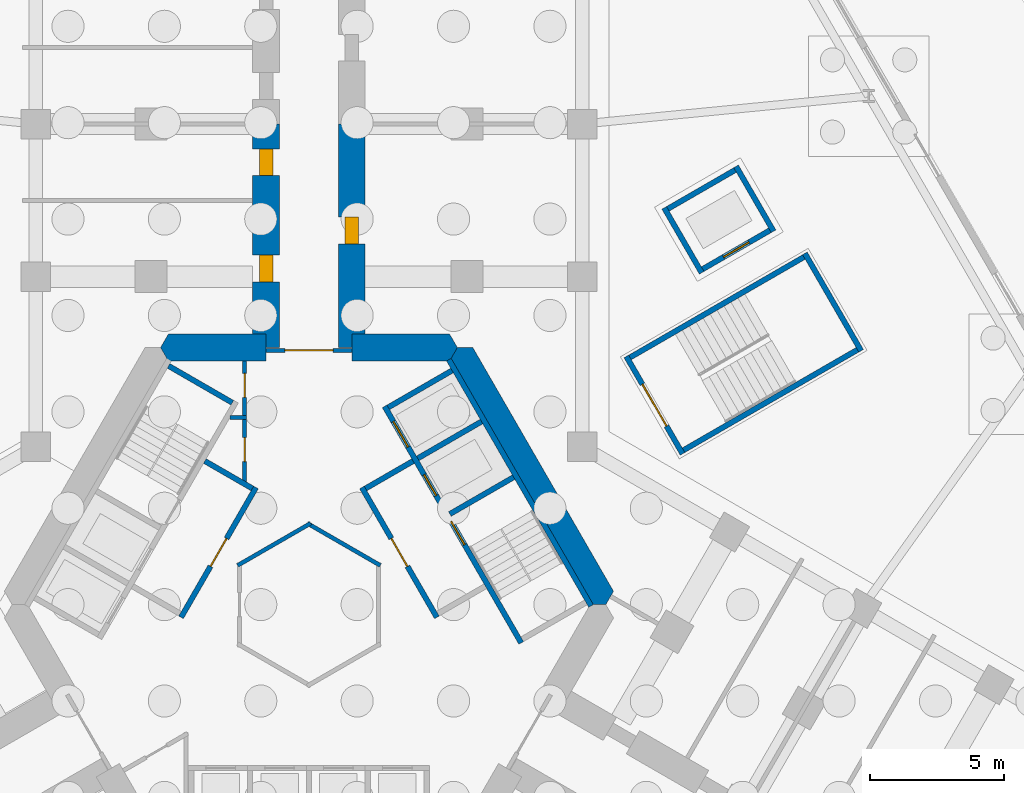
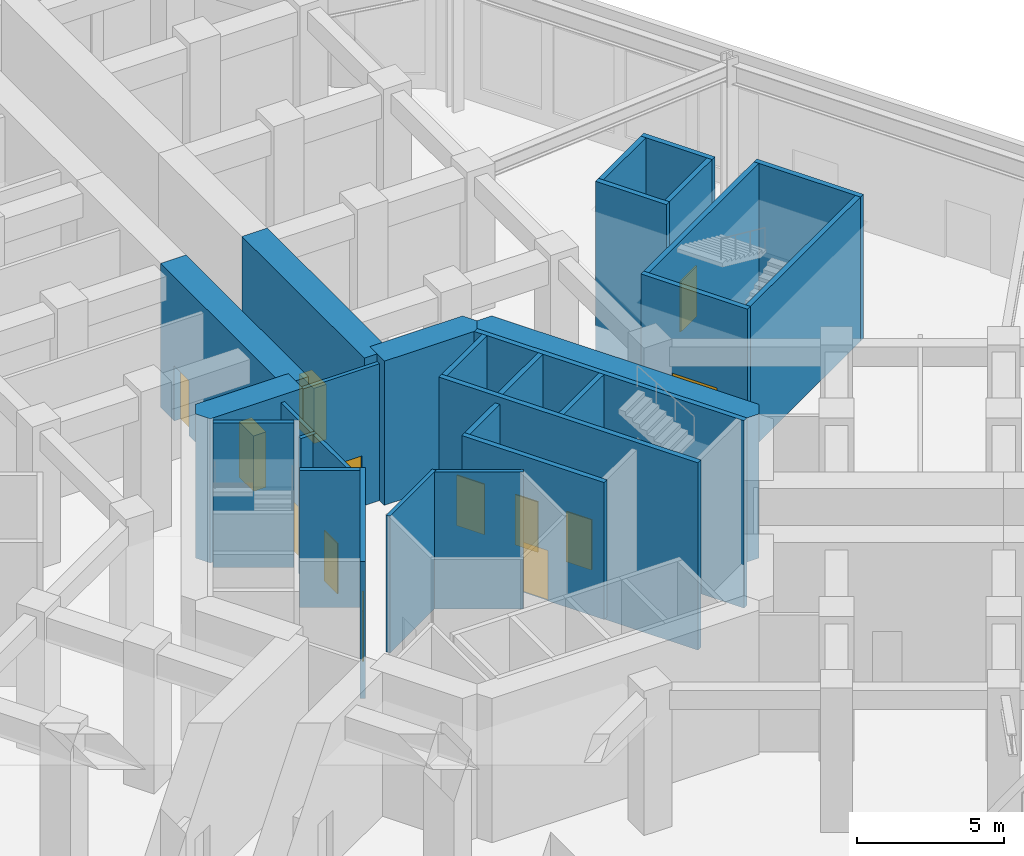
# One storey, part 9 of 16: 28 walls, 13 doors, 13 openings.
"""IFC4 building model written with IfcOpenShell, lengths in metres."""

from ifc_helpers import new_model, si_unit, direction, frame, frame_2d, origin, place, context, subcontext, project, spatial, polyline, rectangle, outline, extrude, material, layer, layer_set, type_object, element, fill, save


model = new_model("IFC4")

# Units and contexts
model_context = context("Model", 3, precision=1e-05, world=origin(), true_north=direction((0.0, 1.0)))
body_context = subcontext(model_context, "Body", "Model", "MODEL_VIEW")
ifc_project = project(units=[si_unit("LENGTHUNIT", "METRE"), si_unit("AREAUNIT", "SQUARE_METRE"), si_unit("VOLUMEUNIT", "CUBIC_METRE"), si_unit("PLANEANGLEUNIT", "RADIAN"), si_unit("MASSUNIT", "GRAM", prefix="KILO")], contexts=[model_context])

# Site, building, storey
site_placement = place(None, origin())
site = spatial("IfcSite", under=ifc_project, at=site_placement, CompositionType="ELEMENT")
building_placement = place(site_placement, origin())
building = spatial("IfcBuilding", under=site, at=building_placement, Name="Kosmar Iwan School Tower", CompositionType="ELEMENT")
storey_placement = place(building_placement, origin())
storey = spatial("IfcBuildingStorey", under=building, at=storey_placement, Name="L00", CompositionType="ELEMENT", Elevation=0.0)

# Wall, openings, doors
ifc_material_1 = material(Name="Gypsum board on steel studs, fire-rated", Category="steel")
ifc_layer_1 = layer(ifc_material_1, 0.14990234375)
ifc_layer_set_1 = layer_set([ifc_layer_1], Name="Core room partition 150")
wall_type_1 = type_object("IfcWallType", Name="Core room partition 150", PredefinedType="PARTITIONING", material=ifc_layer_set_1)
wall_1_placement = place(storey_placement, frame((-2.39990234375, 9.094970703125, 0.0), z_axis=(0.0, 0.0, 1.0), x_axis=(0.0, -1.0, 0.0)))
wall_1 = element("IfcWall", 1, at=wall_1_placement, inside=storey, type_object=wall_type_1, Name="Core room partition L00-CW1", PredefinedType="PARTITIONING", context=body_context, shape_type="SweptSolid", body=[
    extrude(rectangle(XDim=4.564208984375, YDim=0.14990234375, at=frame_2d((2.2822265625, 0.0))), origin(), (0.0, 0.0, 1.0), 5.699951171875),
])
opening_1_placement = place(wall_1_placement, frame((0.455078125, 0.0, 0.0)))
opening_1 = element("IfcOpeningElement", 2, at=opening_1_placement, cuts=wall_1, Name="Opening D14", PredefinedType="OPENING", context=body_context, shape_type="SweptSolid", body=[
    extrude(rectangle(XDim=0.89990234375, YDim=2.10009765625, at=frame_2d((0.449951171875, 1.050048828125))), frame((0.0, 0.0869140625, 0.0), z_axis=(0.0, -1.0, 0.0), x_axis=(1.0, 0.0, 0.0)), (0.0, 0.0, 1.0), 0.173828125),
])
opening_2_placement = place(wall_1_placement, frame((2.85498046875, 0.0, 0.0)))
opening_2 = element("IfcOpeningElement", 3, at=opening_2_placement, cuts=wall_1, Name="Opening D14", PredefinedType="OPENING", context=body_context, shape_type="SweptSolid", body=[
    extrude(rectangle(XDim=0.89990234375, YDim=2.10009765625, at=frame_2d((0.449951171875, 1.050048828125))), frame((0.0, 0.0869140625, 0.0), z_axis=(0.0, -1.0, 0.0), x_axis=(1.0, 0.0, 0.0)), (0.0, 0.0, 1.0), 0.173828125),
])
ifc_material_2 = material(Name="Timber fire door in steel frame", Category="steel")
door_type_1 = type_object("IfcDoorType", Name="Core room door 900x2100", OperationType="SINGLE_SWING_LEFT", PredefinedType="DOOR", material=ifc_material_2)
door_1_placement = place(opening_1_placement, origin())
door_1 = element("IfcDoor", 4, at=door_1_placement, inside=storey, type_object=door_type_1, Name="Electrical riser and switch room door L00 1", OperationType="SINGLE_SWING_LEFT", OverallHeight=2.10009765625, OverallWidth=0.89990234375, PredefinedType="DOOR", context=body_context, shape_type="SweptSolid", body=[
    extrude(rectangle(XDim=0.89990234375, YDim=2.10009765625, at=frame_2d((0.449951171875, 1.050048828125))), frame((0.0, 0.02490234375, 0.0), z_axis=(0.0, -1.0, 0.0), x_axis=(1.0, 0.0, 0.0)), (0.0, 0.0, 1.0), 0.050048828125),
])
fill(opening_1, door_1)
door_2_placement = place(opening_2_placement, origin())
door_2 = element("IfcDoor", 5, at=door_2_placement, inside=storey, type_object=door_type_1, Name="Plumbing and wet riser door L00 2", OperationType="SINGLE_SWING_RIGHT", OverallHeight=2.10009765625, OverallWidth=0.89990234375, PredefinedType="DOOR", context=body_context, shape_type="SweptSolid", body=[
    extrude(rectangle(XDim=0.89990234375, YDim=2.10009765625, at=frame_2d((0.449951171875, 1.050048828125))), frame((0.0, 0.02490234375, 0.0), z_axis=(0.0, -1.0, 0.0), x_axis=(1.0, 0.0, 0.0)), (0.0, 0.0, 1.0), 0.050048828125),
])
fill(opening_2, door_2)

# Walls
wall_2_placement = place(storey_placement, frame((-2.324951171875, 6.985107421875, 0.0), z_axis=(0.0, 0.0, 1.0), x_axis=(-1.0, 0.0, 0.0)))
element("IfcWall", 6, at=wall_2_placement, inside=storey, type_object=wall_type_1, Name="Core room partition L00-CW2", PredefinedType="PARTITIONING", context=body_context, shape_type="SweptSolid", body=[
    extrude(rectangle(XDim=0.623779296875, YDim=0.14990234375, at=frame_2d((0.31201171875, 0.0))), origin(), (0.0, 0.0, 1.0), 5.699951171875),
])
for number, where, z_axis, x_axis, name in (
    (7, (-2.6650390625, 1.463623046875, 0.0), (0.0, 0.0, 1.0), (0.866023080072, 0.500004024767, 0.0), "Core room partition L00-CW7"),
    (8, (-0.06494140625, 3.039794921875, 0.0), (0.0, 0.0, 1.0), (0.866023080072, -0.500004024767, 0.0), "Core room partition L00-CW8"),
):
    element("IfcWall", number, at=place(storey_placement, frame(where, z_axis=z_axis, x_axis=x_axis)), inside=storey, type_object=wall_type_1, Name=name, PredefinedType="PARTITIONING", context=body_context, shape_type="SweptSolid", body=[
        extrude(rectangle(XDim=3.15234375, YDim=0.14990234375, at=frame_2d((1.576171875, 0.0))), origin(), (0.0, 0.0, 1.0), 5.699951171875),
    ])
ifc_material_3 = material(Name="Concrete C50/60", Category="concrete")
ifc_layer_2 = layer(ifc_material_3, 1.0)
ifc_layer_set_2 = layer_set([ifc_layer_2], Name="Core wall 1000")
wall_type_2 = type_object("IfcWallType", Name="Core wall 1000", PredefinedType="SHEAR", material=ifc_layer_set_2)
wall_3_placement = place(storey_placement, origin())
element("IfcWall", 9, at=wall_3_placement, inside=storey, type_object=wall_type_2, Name="Core wall F030", PredefinedType="SHEAR", context=body_context, shape_type="SweptSolid", body=[
    extrude(outline(polyline([(10.5078125, 0.0), (11.085205078125, 0.0), (11.373779296875, 0.5), (6.119873046875, 9.60009765625), (5.54248046875, 9.60009765625), (5.25390625, 9.10009765625), (10.5078125, 0.0)])), origin(), (0.0, 0.0, 1.0), 6.0),
])
wall_4_placement = place(storey_placement, origin())
element("IfcWall", 10, at=wall_4_placement, inside=storey, type_object=wall_type_2, Name="Core wall F090a", PredefinedType="SHEAR", context=body_context, shape_type="SweptSolid", body=[
    extrude(outline(polyline([(1.60009765625, 9.10009765625), (5.25390625, 9.10009765625), (5.54248046875, 9.60009765625), (5.25390625, 10.10009765625), (1.60009765625, 10.10009765625), (1.60009765625, 9.10009765625)])), origin(), (0.0, 0.0, 1.0), 6.0),
])
wall_5_placement = place(storey_placement, origin())
element("IfcWall", 11, at=wall_5_placement, inside=storey, type_object=wall_type_2, Name="Core wall F090b", PredefinedType="SHEAR", context=body_context, shape_type="SweptSolid", body=[
    extrude(outline(polyline([(-5.25390625, 9.10009765625), (-1.60009765625, 9.10009765625), (-1.60009765625, 10.10009765625), (-5.25390625, 10.10009765625), (-5.54248046875, 9.60009765625), (-5.25390625, 9.10009765625)])), origin(), (0.0, 0.0, 1.0), 6.0),
])

# Wall, openings, doors
ifc_material_4 = material(Name="Concrete C50/60", Category="concrete")
ifc_layer_3 = layer(ifc_material_4, 1.0)
ifc_layer_set_3 = layer_set([ifc_layer_3], Name="Corridor buttress wall 1000")
wall_type_3 = type_object("IfcWallType", Name="Corridor buttress wall 1000", PredefinedType="SHEAR", material=ifc_layer_set_3)
wall_6_placement = place(storey_placement, frame((-1.60009765625, 9.60009765625, 0.0), z_axis=(0.0, 0.0, 1.0), x_axis=(0.0, 1.0, 0.0)))
wall_6 = element("IfcWall", 12, at=wall_6_placement, inside=storey, type_object=wall_type_3, Name="Corridor wall AL", PredefinedType="SHEAR", context=body_context, shape_type="SweptSolid", body=[
    extrude(rectangle(XDim=8.349853515625, YDim=1.0, at=frame_2d((4.1748046875, 0.0))), origin(), (0.0, 0.0, 1.0), 6.0),
])
opening_3_placement = place(wall_6_placement, frame((2.449951171875, 0.0, 0.0)))
opening_3 = element("IfcOpeningElement", 13, at=opening_3_placement, cuts=wall_6, Name="Opening D4", PredefinedType="OPENING", context=body_context, shape_type="SweptSolid", body=[
    extrude(rectangle(XDim=1.0, YDim=2.300048828125, at=frame_2d((0.5, 1.14990234375))), frame((0.0, 0.511962890625, 0.0), z_axis=(0.0, -1.0, 0.0), x_axis=(1.0, 0.0, 0.0)), (0.0, 0.0, 1.0), 1.02392578125),
])
opening_4_placement = place(wall_6_placement, frame((6.425048828125, 0.0, 0.0)))
opening_4 = element("IfcOpeningElement", 14, at=opening_4_placement, cuts=wall_6, Name="Opening D4", PredefinedType="OPENING", context=body_context, shape_type="SweptSolid", body=[
    extrude(rectangle(XDim=1.0, YDim=2.300048828125, at=frame_2d((0.5, 1.14990234375))), frame((0.0, 0.511962890625, 0.0), z_axis=(0.0, -1.0, 0.0), x_axis=(1.0, 0.0, 0.0)), (0.0, 0.0, 1.0), 1.02392578125),
])
ifc_material_5 = material(Name="Timber fire door with vision panel", Category="wood")
door_type_2 = type_object("IfcDoorType", Name="Classroom door 1000x2300", OperationType="SINGLE_SWING_LEFT", PredefinedType="DOOR", material=ifc_material_5)
door_3_placement = place(opening_3_placement, origin())
door_3 = element("IfcDoor", 15, at=door_3_placement, inside=storey, type_object=door_type_2, Name="Residential entrance lobby door L00-AL1", OperationType="SINGLE_SWING_RIGHT", OverallHeight=2.300048828125, OverallWidth=1.0, PredefinedType="DOOR", context=body_context, shape_type="SweptSolid", body=[
    extrude(rectangle(XDim=1.0, YDim=2.300048828125, at=frame_2d((0.5, 1.14990234375))), frame((0.0, 0.25, 0.0), z_axis=(0.0, -1.0, 0.0), x_axis=(1.0, 0.0, 0.0)), (0.0, 0.0, 1.0), 0.5),
])
fill(opening_3, door_3)
door_4_placement = place(opening_4_placement, origin())
door_4 = element("IfcDoor", 16, at=door_4_placement, inside=storey, type_object=door_type_2, Name="Concierge office door L00-AL2", OperationType="SINGLE_SWING_LEFT", OverallHeight=2.300048828125, OverallWidth=1.0, PredefinedType="DOOR", context=body_context, shape_type="SweptSolid", body=[
    extrude(rectangle(XDim=1.0, YDim=2.300048828125, at=frame_2d((0.5, 1.14990234375))), frame((0.0, 0.25, 0.0), z_axis=(0.0, -1.0, 0.0), x_axis=(1.0, 0.0, 0.0)), (0.0, 0.0, 1.0), 0.5),
])
fill(opening_4, door_4)

# Wall, opening, door
wall_7_placement = place(storey_placement, frame((1.60009765625, 9.60009765625, 0.0), z_axis=(0.0, 0.0, 1.0), x_axis=(0.0, 1.0, 0.0)))
wall_7 = element("IfcWall", 17, at=wall_7_placement, inside=storey, type_object=wall_type_3, Name="Corridor wall AR", PredefinedType="SHEAR", context=body_context, shape_type="SweptSolid", body=[
    extrude(rectangle(XDim=8.349853515625, YDim=1.0, at=frame_2d((4.1748046875, 0.0))), origin(), (0.0, 0.0, 1.0), 6.0),
])
opening_5_placement = place(wall_7_placement, frame((3.875, 0.0, 0.0)))
opening_5 = element("IfcOpeningElement", 18, at=opening_5_placement, cuts=wall_7, Name="Opening D4", PredefinedType="OPENING", context=body_context, shape_type="SweptSolid", body=[
    extrude(rectangle(XDim=1.0, YDim=2.300048828125, at=frame_2d((0.5, 1.14990234375))), frame((0.0, 0.511962890625, 0.0), z_axis=(0.0, -1.0, 0.0), x_axis=(1.0, 0.0, 0.0)), (0.0, 0.0, 1.0), 1.02392578125),
])
door_5_placement = place(opening_5_placement, origin())
door_5 = element("IfcDoor", 19, at=door_5_placement, inside=storey, type_object=door_type_2, Name="School entrance hall door L00-AR1", OperationType="SINGLE_SWING_RIGHT", OverallHeight=2.300048828125, OverallWidth=1.0, PredefinedType="DOOR", context=body_context, shape_type="SweptSolid", body=[
    extrude(rectangle(XDim=1.0, YDim=2.300048828125, at=frame_2d((0.5, 1.14990234375))), frame((0.0, 0.25, 0.0), z_axis=(0.0, -1.0, 0.0), x_axis=(1.0, 0.0, 0.0)), (0.0, 0.0, 1.0), 0.5),
])
fill(opening_5, door_5)

ifc_material_6 = material(Name="Steel framed glazed screen", Category="steel")
ifc_layer_4 = layer(ifc_material_6, 0.14990234375)
ifc_layer_set_4 = layer_set([ifc_layer_4], Name="Corridor screen wall 150")
wall_type_4 = type_object("IfcWallType", Name="Corridor screen wall 150", PredefinedType="PARTITIONING", material=ifc_layer_set_4)
wall_8_placement = place(storey_placement, frame((1.60009765625, 9.5, 0.0), z_axis=(0.0, 0.0, 1.0), x_axis=(-1.0, 0.0, 0.0)))
wall_8 = element("IfcWall", 20, at=wall_8_placement, inside=storey, type_object=wall_type_4, Name="Corridor screen A L00", PredefinedType="PARTITIONING", context=body_context, shape_type="SweptSolid", body=[
    extrude(rectangle(XDim=3.2001953125, YDim=0.14990234375, at=frame_2d((1.60009765625, 0.0))), origin(), (0.0, 0.0, 1.0), 5.699951171875),
])
opening_6_placement = place(wall_8_placement, frame((0.699951171875, 0.0, 0.0)))
opening_6 = element("IfcOpeningElement", 21, at=opening_6_placement, cuts=wall_8, Name="Opening D9", PredefinedType="OPENING", context=body_context, shape_type="SweptSolid", body=[
    extrude(rectangle(XDim=1.800048828125, YDim=2.10009765625, at=frame_2d((0.89990234375, 1.050048828125))), frame((0.0, 0.0869140625, 0.0), z_axis=(0.0, -1.0, 0.0), x_axis=(1.0, 0.0, 0.0)), (0.0, 0.0, 1.0), 0.173828125),
])
ifc_material_7 = material(Name="Steel framed glazed smoke door", Category="steel")
door_type_3 = type_object("IfcDoorType", Name="Corridor smoke door pair 1800x2100", OperationType="DOUBLE_DOOR_DOUBLE_SWING", PredefinedType="DOOR", material=ifc_material_7)
door_6_placement = place(opening_6_placement, origin())
door_6 = element("IfcDoor", 22, at=door_6_placement, inside=storey, type_object=door_type_3, Name="Corridor doors A L00", OperationType="DOUBLE_DOOR_DOUBLE_SWING", OverallHeight=2.10009765625, OverallWidth=1.800048828125, PredefinedType="DOOR", context=body_context, shape_type="SweptSolid", body=[
    extrude(rectangle(XDim=1.800048828125, YDim=2.10009765625, at=frame_2d((0.89990234375, 1.050048828125))), frame((0.0, 0.02490234375, 0.0), z_axis=(0.0, -1.0, 0.0), x_axis=(1.0, 0.0, 0.0)), (0.0, 0.0, 1.0), 0.050048828125),
])
fill(opening_6, door_6)

ifc_material_8 = material(Name="Concrete block masonry", Category="masonry")
ifc_layer_5 = layer(ifc_material_8, 0.199951171875)
ifc_layer_set_5 = layer_set([ifc_layer_5], Name="Fire lobby wall 200")
wall_type_5 = type_object("IfcWallType", Name="Fire lobby wall 200", PredefinedType="PARTITIONING", material=ifc_layer_set_5)
wall_9_placement = place(storey_placement, frame((-1.9775390625, 4.374755859375, 0.0), z_axis=(0.0, 0.0, 1.0), x_axis=(-0.500016814911, -0.866015695474, 0.0)))
wall_9 = element("IfcWall", 23, at=wall_9_placement, inside=storey, type_object=wall_type_5, Name="Firefighting lobby wall ST2", PredefinedType="PARTITIONING", context=body_context, shape_type="SweptSolid", body=[
    extrude(rectangle(XDim=5.599853515625, YDim=0.199951171875, at=frame_2d((2.7998046875, 0.0))), origin(), (0.0, 0.0, 1.0), 5.699951171875),
])
opening_7_placement = place(wall_9_placement, frame((2.199951171875, 0.0, 0.0)))
opening_7 = element("IfcOpeningElement", 24, at=opening_7_placement, cuts=wall_9, Name="Opening D7", PredefinedType="OPENING", context=body_context, shape_type="SweptSolid", body=[
    extrude(rectangle(XDim=1.199951171875, YDim=2.10009765625, at=frame_2d((0.60009765625, 1.050048828125))), frame((0.0, 0.112060546875, 0.0), z_axis=(0.0, -1.0, 0.0), x_axis=(1.0, 0.0, 0.0)), (0.0, 0.0, 1.0), 0.223876953125),
])
ifc_material_9 = material(Name="Steel fire door", Category="steel")
door_type_4 = type_object("IfcDoorType", Name="Fire lobby door 1200x2100", OperationType="SINGLE_SWING_LEFT", PredefinedType="DOOR", material=ifc_material_9)
door_7_placement = place(opening_7_placement, frame((1.199951171875, 0.0, 0.0), z_axis=(0.0, 0.0, 1.0), x_axis=(-1.0, 0.0, 0.0)))
door_7 = element("IfcDoor", 25, at=door_7_placement, inside=storey, type_object=door_type_4, Name="Firefighting lobby door ST2 L00", OperationType="SINGLE_SWING_RIGHT", OverallHeight=2.10009765625, OverallWidth=1.199951171875, PredefinedType="DOOR", context=body_context, shape_type="SweptSolid", body=[
    extrude(rectangle(XDim=1.199951171875, YDim=2.10009765625, at=frame_2d((0.60009765625, 1.050048828125))), frame((0.0, 0.02490234375, 0.0), z_axis=(0.0, -1.0, 0.0), x_axis=(1.0, 0.0, 0.0)), (0.0, 0.0, 1.0), 0.050048828125),
])
fill(opening_7, door_7)

# Wall
wall_10_placement = place(storey_placement, frame((-2.114013671875, 4.33837890625, 0.0), z_axis=(0.0, 0.0, 1.0), x_axis=(-0.866050731258, 0.499956128963, 0.0)))
element("IfcWall", 26, at=wall_10_placement, inside=storey, type_object=wall_type_5, Name="Firefighting lobby wall ST2", PredefinedType="PARTITIONING", context=body_context, shape_type="SweptSolid", body=[
    extrude(rectangle(XDim=2.050048828125, YDim=0.199951171875, at=frame_2d((1.02490234375, 0.0))), origin(), (0.0, 0.0, 1.0), 5.699951171875),
])

# Wall, opening, door
wall_11_placement = place(storey_placement, frame((4.777587890625, -0.474853515625, 0.0), z_axis=(0.0, 0.0, 1.0), x_axis=(-0.500016814911, 0.866015695474, 0.0)))
wall_11 = element("IfcWall", 27, at=wall_11_placement, inside=storey, type_object=wall_type_5, Name="Firefighting lobby wall ST1", PredefinedType="PARTITIONING", context=body_context, shape_type="SweptSolid", body=[
    extrude(rectangle(XDim=5.599853515625, YDim=0.199951171875, at=frame_2d((2.7998046875, 0.0))), origin(), (0.0, 0.0, 1.0), 5.699951171875),
])
opening_8_placement = place(wall_11_placement, frame((2.199951171875, 0.0, 0.0)))
opening_8 = element("IfcOpeningElement", 28, at=opening_8_placement, cuts=wall_11, Name="Opening D7", PredefinedType="OPENING", context=body_context, shape_type="SweptSolid", body=[
    extrude(rectangle(XDim=1.199951171875, YDim=2.10009765625, at=frame_2d((0.60009765625, 1.050048828125))), frame((0.0, 0.112060546875, 0.0), z_axis=(0.0, -1.0, 0.0), x_axis=(1.0, 0.0, 0.0)), (0.0, 0.0, 1.0), 0.223876953125),
])
door_8_placement = place(opening_8_placement, frame((1.199951171875, 0.0, 0.0), z_axis=(0.0, 0.0, 1.0), x_axis=(-1.0, 0.0, 0.0)))
door_8 = element("IfcDoor", 29, at=door_8_placement, inside=storey, type_object=door_type_4, Name="Firefighting lobby door ST1 L00", OperationType="SINGLE_SWING_RIGHT", OverallHeight=2.10009765625, OverallWidth=1.199951171875, PredefinedType="DOOR", context=body_context, shape_type="SweptSolid", body=[
    extrude(rectangle(XDim=1.199951171875, YDim=2.10009765625, at=frame_2d((0.60009765625, 1.050048828125))), frame((0.0, 0.02490234375, 0.0), z_axis=(0.0, -1.0, 0.0), x_axis=(1.0, 0.0, 0.0)), (0.0, 0.0, 1.0), 0.050048828125),
])
fill(opening_8, door_8)

# Wall
wall_12_placement = place(storey_placement, frame((2.114013671875, 4.33837890625, 0.0), z_axis=(0.0, 0.0, 1.0), x_axis=(0.866050731258, 0.499956128963, 0.0)))
element("IfcWall", 30, at=wall_12_placement, inside=storey, type_object=wall_type_5, Name="Firefighting lobby wall ST1", PredefinedType="PARTITIONING", context=body_context, shape_type="SweptSolid", body=[
    extrude(rectangle(XDim=2.050048828125, YDim=0.199951171875, at=frame_2d((1.02490234375, 0.0))), origin(), (0.0, 0.0, 1.0), 5.699951171875),
])

# Wall, openings, doors
ifc_material_10 = material(Name="Concrete C50/60", Category="concrete")
ifc_layer_6 = layer(ifc_material_10, 0.199951171875)
ifc_layer_set_6 = layer_set([ifc_layer_6], Name="Lift shaft wall 200")
wall_type_6 = type_object("IfcWallType", Name="Lift shaft wall 200", PredefinedType="SHEAR", material=ifc_layer_set_6)
wall_13_placement = place(storey_placement, frame((7.926025390625, -1.42822265625, -1.800048828125), z_axis=(0.0, 0.0, 1.0), x_axis=(-0.499998023675, 0.866026544813, 0.0)))
wall_13 = element("IfcWall", 31, at=wall_13_placement, inside=storey, type_object=wall_type_6, Name="Lift and stair front wall AC", PredefinedType="SHEAR", context=body_context, shape_type="SweptSolid", body=[
    extrude(rectangle(XDim=10.19970703125, YDim=0.199951171875, at=frame_2d((5.099853515625, 0.0))), origin(), (0.0, 0.0, 1.0), 7.800048828125),
])
opening_9_placement = place(wall_13_placement, frame((6.35009765625, 0.0, 1.800048828125)))
opening_9 = element("IfcOpeningElement", 32, at=opening_9_placement, cuts=wall_13, Name="Opening LD2", PredefinedType="OPENING", context=body_context, shape_type="SweptSolid", body=[
    extrude(rectangle(XDim=0.89990234375, YDim=2.10009765625, at=frame_2d((0.449951171875, 1.050048828125))), frame((0.0, 0.112060546875, 0.0), z_axis=(0.0, -1.0, 0.0), x_axis=(1.0, 0.0, 0.0)), (0.0, 0.0, 1.0), 0.223876953125),
])
opening_10_placement = place(wall_13_placement, frame((8.449951171875, 0.0, 1.800048828125)))
opening_10 = element("IfcOpeningElement", 33, at=opening_10_placement, cuts=wall_13, Name="Opening LD1", PredefinedType="OPENING", context=body_context, shape_type="SweptSolid", body=[
    extrude(rectangle(XDim=1.10009765625, YDim=2.10009765625, at=frame_2d((0.550048828125, 1.050048828125))), frame((0.0, 0.112060546875, 0.0), z_axis=(0.0, -1.0, 0.0), x_axis=(1.0, 0.0, 0.0)), (0.0, 0.0, 1.0), 0.223876953125),
])
opening_11_placement = place(wall_13_placement, frame((4.22998046875, 0.0, 1.800048828125)))
opening_11 = element("IfcOpeningElement", 34, at=opening_11_placement, cuts=wall_13, Name="Opening D6", PredefinedType="OPENING", context=body_context, shape_type="SweptSolid", body=[
    extrude(rectangle(XDim=1.0, YDim=2.10009765625, at=frame_2d((0.5, 1.050048828125))), frame((0.0, 0.112060546875, 0.0), z_axis=(0.0, -1.0, 0.0), x_axis=(1.0, 0.0, 0.0)), (0.0, 0.0, 1.0), 0.223876953125),
])
ifc_material_11 = material(Name="Stainless steel sliding lift door", Category="steel")
door_type_5 = type_object("IfcDoorType", Name="Firefighting lift landing door 900x2100", OperationType="SLIDING_TO_LEFT", PredefinedType="DOOR", material=ifc_material_11)
door_9_placement = place(opening_9_placement, origin())
door_9 = element("IfcDoor", 35, at=door_9_placement, inside=storey, type_object=door_type_5, Name="Lift FF1 landing door L00", OperationType="SLIDING_TO_LEFT", OverallHeight=2.10009765625, OverallWidth=0.89990234375, PredefinedType="DOOR", context=body_context, shape_type="SweptSolid", body=[
    extrude(rectangle(XDim=0.89990234375, YDim=2.10009765625, at=frame_2d((0.449951171875, 1.050048828125))), frame((0.0, 0.02490234375, 0.0), z_axis=(0.0, -1.0, 0.0), x_axis=(1.0, 0.0, 0.0)), (0.0, 0.0, 1.0), 0.050048828125),
])
fill(opening_9, door_9)
ifc_material_12 = material(Name="Stainless steel sliding lift door", Category="steel")
door_type_6 = type_object("IfcDoorType", Name="Lift landing door 1100x2100", OperationType="SLIDING_TO_LEFT", PredefinedType="DOOR", material=ifc_material_12)
door_10_placement = place(opening_10_placement, origin())
door_10 = element("IfcDoor", 36, at=door_10_placement, inside=storey, type_object=door_type_6, Name="Lift PL5 landing door L00", OperationType="SLIDING_TO_LEFT", OverallHeight=2.10009765625, OverallWidth=1.10009765625, PredefinedType="DOOR", context=body_context, shape_type="SweptSolid", body=[
    extrude(rectangle(XDim=1.10009765625, YDim=2.10009765625, at=frame_2d((0.550048828125, 1.050048828125))), frame((0.0, 0.02490234375, 0.0), z_axis=(0.0, -1.0, 0.0), x_axis=(1.0, 0.0, 0.0)), (0.0, 0.0, 1.0), 0.050048828125),
])
fill(opening_10, door_10)
ifc_material_13 = material(Name="Steel fire door", Category="steel")
door_type_7 = type_object("IfcDoorType", Name="Stair door 1000x2100", OperationType="SINGLE_SWING_LEFT", PredefinedType="DOOR", material=ifc_material_13)
door_11_placement = place(opening_11_placement, origin())
door_11 = element("IfcDoor", 37, at=door_11_placement, inside=storey, type_object=door_type_7, Name="Stair ST1 door L00", OperationType="SINGLE_SWING_LEFT", OverallHeight=2.10009765625, OverallWidth=1.0, PredefinedType="DOOR", context=body_context, shape_type="SweptSolid", body=[
    extrude(rectangle(XDim=1.0, YDim=2.10009765625, at=frame_2d((0.5, 1.050048828125))), frame((0.0, 0.02490234375, 0.0), z_axis=(0.0, -1.0, 0.0), x_axis=(1.0, 0.0, 0.0)), (0.0, 0.0, 1.0), 0.050048828125),
])
fill(opening_11, door_11)

# Walls
wall_14_placement = place(storey_placement, frame((10.53662109375, -0.050048828125, -1.800048828125), z_axis=(0.0, 0.0, 1.0), x_axis=(-0.499994998079, 0.866028291626, 0.0)))
element("IfcWall", 38, at=wall_14_placement, inside=storey, type_object=wall_type_6, Name="Lift and stair back wall AC", PredefinedType="SHEAR", context=body_context, shape_type="SweptSolid", body=[
    extrude(rectangle(XDim=10.623046875, YDim=0.199951171875, at=frame_2d((5.3115234375, 0.0))), origin(), (0.0, 0.0, 1.0), 7.800048828125),
])
for number, where, z_axis, x_axis, name in (
    (39, (4.062744140625, 5.46337890625, -1.800048828125), (0.0, 0.0, 1.0), (0.866027397988, 0.499996545922, 0.0), "Lift shaft wall AC 1"),
    (40, (2.962646484375, 7.368408203125, -1.800048828125), (0.0, 0.0, 1.0), (0.866027397988, 0.499996545922, 0.0), "Lift shaft wall AC 2"),
):
    element("IfcWall", number, at=place(storey_placement, frame(where, z_axis=z_axis, x_axis=x_axis)), inside=storey, type_object=wall_type_6, Name=name, PredefinedType="SHEAR", context=body_context, shape_type="SweptSolid", body=[
        extrude(rectangle(XDim=2.75, YDim=0.199951171875, at=frame_2d((1.375, 0.0))), origin(), (0.0, 0.0, 1.0), 7.800048828125),
    ])
wall_15_placement = place(storey_placement, frame((14.66796875, 12.39453125, -1.5), z_axis=(0.0, 0.0, 1.0), x_axis=(-0.500049511043, 0.865996816683, 0.0)))
element("IfcWall", 41, at=wall_15_placement, inside=storey, type_object=wall_type_6, Name="School lift SL1 shaft wall", PredefinedType="SHEAR", context=body_context, shape_type="SweptSolid", body=[
    extrude(rectangle(XDim=2.800048828125, YDim=0.199951171875, at=frame_2d((1.39990234375, 0.0))), origin(), (0.0, 0.0, 1.0), 7.5),
])
wall_16_placement = place(storey_placement, frame((17.3525390625, 13.944580078125, -1.5), z_axis=(0.0, 0.0, 1.0), x_axis=(-0.49998411664, 0.866034573852, 0.0)))
element("IfcWall", 42, at=wall_16_placement, inside=storey, type_object=wall_type_6, Name="School lift SL1 shaft wall", PredefinedType="SHEAR", context=body_context, shape_type="SweptSolid", body=[
    extrude(rectangle(XDim=2.7998046875, YDim=0.199951171875, at=frame_2d((1.39990234375, 0.0))), origin(), (0.0, 0.0, 1.0), 7.5),
])
wall_17_placement = place(storey_placement, frame((13.404541015625, 14.78271484375, -1.5), z_axis=(0.0, 0.0, 1.0), x_axis=(0.866032775405, 0.499987231761, 0.0)))
element("IfcWall", 43, at=wall_17_placement, inside=storey, type_object=wall_type_6, Name="School lift SL1 shaft wall", PredefinedType="SHEAR", context=body_context, shape_type="SweptSolid", body=[
    extrude(rectangle(XDim=2.89990234375, YDim=0.199951171875, at=frame_2d((1.449951171875, 0.0))), origin(), (0.0, 0.0, 1.0), 7.5),
])

# Wall, opening, door
wall_18_placement = place(storey_placement, frame((14.70458984375, 12.531005859375, -1.5), z_axis=(0.0, 0.0, 1.0), x_axis=(0.865996321171, 0.50005036918, 0.0)))
wall_18 = element("IfcWall", 44, at=wall_18_placement, inside=storey, type_object=wall_type_6, Name="School lift SL1 shaft wall", PredefinedType="SHEAR", context=body_context, shape_type="SweptSolid", body=[
    extrude(rectangle(XDim=2.900146484375, YDim=0.199951171875, at=frame_2d((1.4501953125, 0.0))), origin(), (0.0, 0.0, 1.0), 7.5),
])
opening_12_placement = place(wall_18_placement, frame((0.89990234375, 0.0, 1.5)))
opening_12 = element("IfcOpeningElement", 45, at=opening_12_placement, cuts=wall_18, Name="Opening LD1", PredefinedType="OPENING", context=body_context, shape_type="SweptSolid", body=[
    extrude(rectangle(XDim=1.10009765625, YDim=2.10009765625, at=frame_2d((0.550048828125, 1.050048828125))), frame((0.0, 0.112060546875, 0.0), z_axis=(0.0, -1.0, 0.0), x_axis=(1.0, 0.0, 0.0)), (0.0, 0.0, 1.0), 0.223876953125),
])
door_12_placement = place(opening_12_placement, origin())
door_12 = element("IfcDoor", 46, at=door_12_placement, inside=storey, type_object=door_type_6, Name="Lift SL1 landing door L00", OperationType="SLIDING_TO_LEFT", OverallHeight=2.10009765625, OverallWidth=1.10009765625, PredefinedType="DOOR", context=body_context, shape_type="SweptSolid", body=[
    extrude(rectangle(XDim=1.10009765625, YDim=2.10009765625, at=frame_2d((0.550048828125, 1.050048828125))), frame((0.0, 0.02490234375, 0.0), z_axis=(0.0, -1.0, 0.0), x_axis=(1.0, 0.0, 0.0)), (0.0, 0.0, 1.0), 0.050048828125),
])
fill(opening_12, door_12)

# Walls
ifc_material_14 = material(Name="Concrete C50/60", Category="concrete")
ifc_layer_7 = layer(ifc_material_14, 0.199951171875)
ifc_layer_set_7 = layer_set([ifc_layer_7], Name="Stair enclosure wall 200")
wall_type_7 = type_object("IfcWallType", Name="Stair enclosure wall 200", PredefinedType="SHEAR", material=ifc_layer_set_7)
for number, where, z_axis, x_axis, name in (
    (47, (-2.862548828125, 7.541748046875, 0.0), (0.0, 0.0, 1.0), (-0.866027397988, 0.499996545922, 0.0), "Stair ST2 wall"),
    (48, (5.2626953125, 3.384765625, 0.0), (0.0, 0.0, 1.0), (0.866027397988, 0.499996545922, 0.0), "Stair ST1 wall"),
):
    element("IfcWall", number, at=place(storey_placement, frame(where, z_axis=z_axis, x_axis=x_axis)), inside=storey, type_object=wall_type_7, Name=name, PredefinedType="SHEAR", context=body_context, shape_type="SweptSolid", body=[
        extrude(rectangle(XDim=2.75, YDim=0.199951171875, at=frame_2d((1.375, 0.0))), origin(), (0.0, 0.0, 1.0), 6.0),
    ])
for number, where, z_axis, x_axis, name in (
    (49, (13.990478515625, 5.767822265625, 0.0), (0.0, 0.0, 1.0), (0.866008863278, 0.500028647903, 0.0), "School stair SS3 wall"),
    (50, (11.990478515625, 9.23193359375, 0.0), (0.0, 0.0, 1.0), (0.866008863278, 0.500028647903, 0.0), "School stair SS3 wall"),
):
    element("IfcWall", number, at=place(storey_placement, frame(where, z_axis=z_axis, x_axis=x_axis)), inside=storey, type_object=wall_type_7, Name=name, PredefinedType="SHEAR", context=body_context, shape_type="SweptSolid", body=[
        extrude(rectangle(XDim=7.5, YDim=0.199951171875, at=frame_2d((3.75, 0.0))), origin(), (0.0, 0.0, 1.0), 6.0),
    ])
wall_19_placement = place(storey_placement, frame((20.6220703125, 9.4814453125, 0.0), z_axis=(0.0, 0.0, 1.0), x_axis=(-0.49998411664, 0.866034573852, 0.0)))
element("IfcWall", 51, at=wall_19_placement, inside=storey, type_object=wall_type_7, Name="School stair SS3 wall", PredefinedType="SHEAR", context=body_context, shape_type="SweptSolid", body=[
    extrude(rectangle(XDim=4.199951171875, YDim=0.199951171875, at=frame_2d((2.10009765625, 0.0))), origin(), (0.0, 0.0, 1.0), 6.0),
])

# Wall, opening, door
wall_20_placement = place(storey_placement, frame((13.953857421875, 5.63134765625, 0.0), z_axis=(0.0, 0.0, 1.0), x_axis=(-0.500027713859, 0.866009402589, 0.0)))
wall_20 = element("IfcWall", 52, at=wall_20_placement, inside=storey, type_object=wall_type_7, Name="School stair SS3 wall", PredefinedType="SHEAR", context=body_context, shape_type="SweptSolid", body=[
    extrude(rectangle(XDim=4.199951171875, YDim=0.199951171875, at=frame_2d((2.10009765625, 0.0))), origin(), (0.0, 0.0, 1.0), 6.0),
])
opening_13_placement = place(wall_20_placement, frame((1.199951171875, 0.0, 0.0)))
opening_13 = element("IfcOpeningElement", 53, at=opening_13_placement, cuts=wall_20, Name="Opening D8", PredefinedType="OPENING", context=body_context, shape_type="SweptSolid", body=[
    extrude(rectangle(XDim=1.800048828125, YDim=2.300048828125, at=frame_2d((0.89990234375, 1.14990234375))), frame((0.0, 0.112060546875, 0.0), z_axis=(0.0, -1.0, 0.0), x_axis=(1.0, 0.0, 0.0)), (0.0, 0.0, 1.0), 0.223876953125),
])
ifc_material_15 = material(Name="Steel fire door", Category="steel")
door_type_8 = type_object("IfcDoorType", Name="School stair door pair 1800x2300", OperationType="DOUBLE_DOOR_SINGLE_SWING", PredefinedType="DOOR", material=ifc_material_15)
door_13_placement = place(opening_13_placement, origin())
door_13 = element("IfcDoor", 54, at=door_13_placement, inside=storey, type_object=door_type_8, Name="School stair SS3 door L00", OperationType="DOUBLE_DOOR_SINGLE_SWING", OverallHeight=2.300048828125, OverallWidth=1.800048828125, PredefinedType="DOOR", context=body_context, shape_type="SweptSolid", body=[
    extrude(rectangle(XDim=1.800048828125, YDim=2.300048828125, at=frame_2d((0.89990234375, 1.14990234375))), frame((0.0, 0.02490234375, 0.0), z_axis=(0.0, -1.0, 0.0), x_axis=(1.0, 0.0, 0.0)), (0.0, 0.0, 1.0), 0.050048828125),
])
fill(opening_13, door_13)

save(model, "model.ifc")
